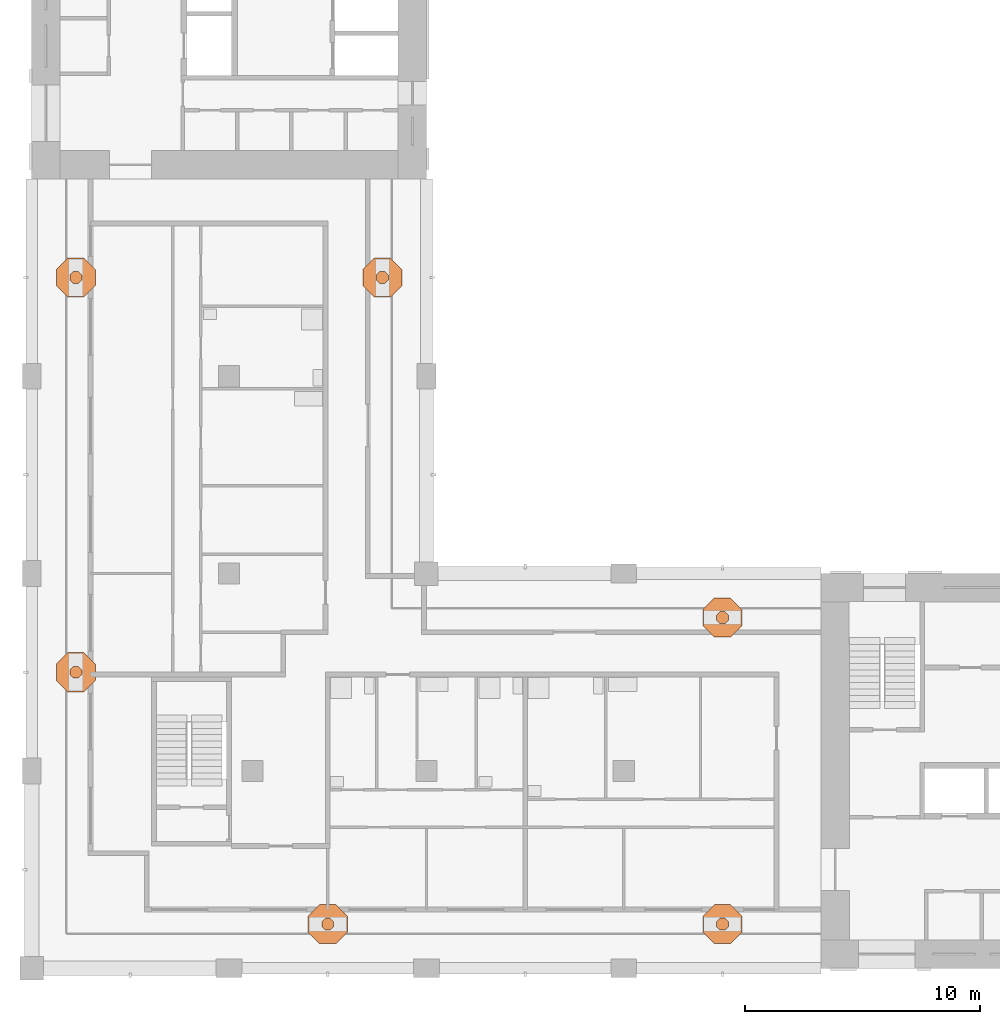
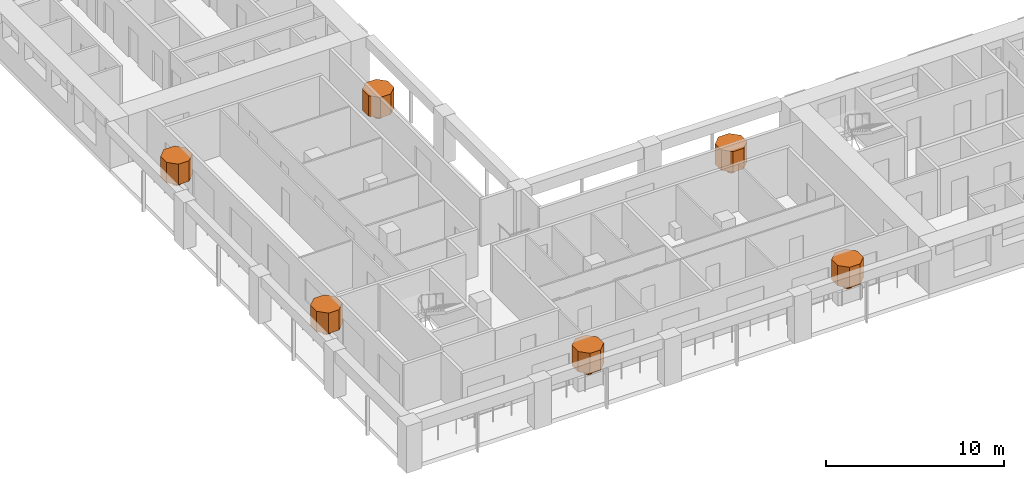
# One storey, part 12 of 12: 12 geographic elements.
"""IFC4 building model written with IfcOpenShell, lengths in metres."""

from ifc_helpers import new_model, si_unit, direction, frame, origin, place, context, subcontext, project, spatial, polyline, outline, extrude, material, element, save


model = new_model("IFC4")

# Units and contexts
model_context = context("Model", 3, precision=1e-05, world=origin(), true_north=direction((0.0, 1.0)))
body_context = subcontext(model_context, "Body", "Model", "MODEL_VIEW")
ifc_project = project(units=[si_unit("LENGTHUNIT", "METRE"), si_unit("AREAUNIT", "SQUARE_METRE"), si_unit("VOLUMEUNIT", "CUBIC_METRE"), si_unit("PLANEANGLEUNIT", "RADIAN"), si_unit("MASSUNIT", "GRAM", prefix="KILO")], contexts=[model_context])

# Site, building, storey
site_placement = place(None, origin())
site = spatial("IfcSite", under=ifc_project, at=site_placement, CompositionType="ELEMENT")
building_placement = place(site_placement, origin())
building = spatial("IfcBuilding", under=site, at=building_placement, Name="Vermilion Gate Residences", CompositionType="ELEMENT")
storey_placement = place(building_placement, frame((0.0, 0.0, 235.199951171875)))
storey = spatial("IfcBuildingStorey", under=building, at=storey_placement, Name="L61", CompositionType="ELEMENT", Elevation=235.199951171875)

# Geographic elements
ifc_material = material(Name="Foliage")
geographic_element_1_placement = place(storey_placement, frame((0.0, 0.0, 0.900146484375)))
element("IfcGeographicElement", 1, at=geographic_element_1_placement, inside=storey, material=ifc_material, Name="Tree (maple)", ObjectType="TREE", PredefinedType="USERDEFINED", context=body_context, shape_type="SweptSolid", body=[
    extrude(outline(polyline([(21.254150390625, 10.380126953125), (21.105224609375, 10.529052734375), (20.894775390625, 10.529052734375), (20.745849609375, 10.380126953125), (20.745849609375, 10.169921875), (20.894775390625, 10.02099609375), (21.105224609375, 10.02099609375), (21.254150390625, 10.169921875), (21.254150390625, 10.380126953125)])), origin(), (0.0, 0.0, 1.0), 0.52001953125),
])
geographic_element_2_placement = place(storey_placement, frame((0.0, 0.0, 1.420166015625)))
element("IfcGeographicElement", 2, at=geographic_element_2_placement, inside=storey, material=ifc_material, Name="Tree crown (maple)", ObjectType="TREE", PredefinedType="USERDEFINED", context=body_context, shape_type="SweptSolid", body=[
    extrude(outline(polyline([(21.83154296875, 10.619384765625), (21.344482421875, 11.1064453125), (20.655517578125, 11.1064453125), (20.16845703125, 10.619384765625), (20.16845703125, 9.9306640625), (20.655517578125, 9.443603515625), (21.344482421875, 9.443603515625), (21.83154296875, 9.9306640625), (21.83154296875, 10.619384765625)])), origin(), (0.0, 0.0, 1.0), 1.39990234375),
])
geographic_element_3_placement = place(storey_placement, frame((0.0, 0.0, 0.900146484375)))
element("IfcGeographicElement", 3, at=geographic_element_3_placement, inside=storey, material=ifc_material, Name="Tree (black pine)", ObjectType="TREE", PredefinedType="USERDEFINED", context=body_context, shape_type="SweptSolid", body=[
    extrude(outline(polyline([(38.05419921875, 10.380126953125), (37.9052734375, 10.529052734375), (37.69482421875, 10.529052734375), (37.5458984375, 10.380126953125), (37.5458984375, 10.169921875), (37.69482421875, 10.02099609375), (37.9052734375, 10.02099609375), (38.05419921875, 10.169921875), (38.05419921875, 10.380126953125)])), origin(), (0.0, 0.0, 1.0), 0.52001953125),
])
geographic_element_4_placement = place(storey_placement, frame((0.0, 0.0, 1.420166015625)))
element("IfcGeographicElement", 4, at=geographic_element_4_placement, inside=storey, material=ifc_material, Name="Tree crown (black pine)", ObjectType="TREE", PredefinedType="USERDEFINED", context=body_context, shape_type="SweptSolid", body=[
    extrude(outline(polyline([(38.631591796875, 10.619384765625), (38.144287109375, 11.1064453125), (37.45556640625, 11.1064453125), (36.968505859375, 10.619384765625), (36.968505859375, 9.9306640625), (37.45556640625, 9.443603515625), (38.144287109375, 9.443603515625), (38.631591796875, 9.9306640625), (38.631591796875, 10.619384765625)])), origin(), (0.0, 0.0, 1.0), 1.39990234375),
])
geographic_element_5_placement = place(storey_placement, frame((0.0, 0.0, 0.900146484375)))
element("IfcGeographicElement", 5, at=geographic_element_5_placement, inside=storey, material=ifc_material, Name="Tree (black pine)", ObjectType="TREE", PredefinedType="USERDEFINED", context=body_context, shape_type="SweptSolid", body=[
    extrude(outline(polyline([(38.05419921875, 23.43017578125), (37.9052734375, 23.5791015625), (37.69482421875, 23.5791015625), (37.5458984375, 23.43017578125), (37.5458984375, 23.2197265625), (37.69482421875, 23.07080078125), (37.9052734375, 23.07080078125), (38.05419921875, 23.2197265625), (38.05419921875, 23.43017578125)])), origin(), (0.0, 0.0, 1.0), 0.52001953125),
])
geographic_element_6_placement = place(storey_placement, frame((0.0, 0.0, 1.420166015625)))
element("IfcGeographicElement", 6, at=geographic_element_6_placement, inside=storey, material=ifc_material, Name="Tree crown (black pine)", ObjectType="TREE", PredefinedType="USERDEFINED", context=body_context, shape_type="SweptSolid", body=[
    extrude(outline(polyline([(38.631591796875, 23.66943359375), (38.144287109375, 24.156494140625), (37.45556640625, 24.156494140625), (36.968505859375, 23.66943359375), (36.968505859375, 22.980712890625), (37.45556640625, 22.493408203125), (38.144287109375, 22.493408203125), (38.631591796875, 22.980712890625), (38.631591796875, 23.66943359375)])), origin(), (0.0, 0.0, 1.0), 1.39990234375),
])
geographic_element_7_placement = place(storey_placement, frame((0.0, 0.0, 0.900146484375)))
element("IfcGeographicElement", 7, at=geographic_element_7_placement, inside=storey, material=ifc_material, Name="Tree (black pine)", ObjectType="TREE", PredefinedType="USERDEFINED", context=body_context, shape_type="SweptSolid", body=[
    extrude(outline(polyline([(23.5791015625, 37.9052734375), (23.43017578125, 38.05419921875), (23.2197265625, 38.05419921875), (23.07080078125, 37.9052734375), (23.07080078125, 37.69482421875), (23.2197265625, 37.5458984375), (23.43017578125, 37.5458984375), (23.5791015625, 37.69482421875), (23.5791015625, 37.9052734375)])), origin(), (0.0, 0.0, 1.0), 0.52001953125),
])
geographic_element_8_placement = place(storey_placement, frame((0.0, 0.0, 1.420166015625)))
element("IfcGeographicElement", 8, at=geographic_element_8_placement, inside=storey, material=ifc_material, Name="Tree crown (black pine)", ObjectType="TREE", PredefinedType="USERDEFINED", context=body_context, shape_type="SweptSolid", body=[
    extrude(outline(polyline([(24.156494140625, 38.144287109375), (23.66943359375, 38.631591796875), (22.980712890625, 38.631591796875), (22.493408203125, 38.144287109375), (22.493408203125, 37.45556640625), (22.980712890625, 36.968505859375), (23.66943359375, 36.968505859375), (24.156494140625, 37.45556640625), (24.156494140625, 38.144287109375)])), origin(), (0.0, 0.0, 1.0), 1.39990234375),
])
geographic_element_9_placement = place(storey_placement, frame((0.0, 0.0, 0.900146484375)))
element("IfcGeographicElement", 9, at=geographic_element_9_placement, inside=storey, material=ifc_material, Name="Tree (maple)", ObjectType="TREE", PredefinedType="USERDEFINED", context=body_context, shape_type="SweptSolid", body=[
    extrude(outline(polyline([(10.529052734375, 21.105224609375), (10.380126953125, 21.254150390625), (10.169921875, 21.254150390625), (10.02099609375, 21.105224609375), (10.02099609375, 20.894775390625), (10.169921875, 20.745849609375), (10.380126953125, 20.745849609375), (10.529052734375, 20.894775390625), (10.529052734375, 21.105224609375)])), origin(), (0.0, 0.0, 1.0), 0.52001953125),
])
geographic_element_10_placement = place(storey_placement, frame((0.0, 0.0, 1.420166015625)))
element("IfcGeographicElement", 10, at=geographic_element_10_placement, inside=storey, material=ifc_material, Name="Tree crown (maple)", ObjectType="TREE", PredefinedType="USERDEFINED", context=body_context, shape_type="SweptSolid", body=[
    extrude(outline(polyline([(11.1064453125, 21.344482421875), (10.619384765625, 21.83154296875), (9.9306640625, 21.83154296875), (9.443603515625, 21.344482421875), (9.443603515625, 20.655517578125), (9.9306640625, 20.16845703125), (10.619384765625, 20.16845703125), (11.1064453125, 20.655517578125), (11.1064453125, 21.344482421875)])), origin(), (0.0, 0.0, 1.0), 1.39990234375),
])
geographic_element_11_placement = place(storey_placement, frame((0.0, 0.0, 0.900146484375)))
element("IfcGeographicElement", 11, at=geographic_element_11_placement, inside=storey, material=ifc_material, Name="Tree (black pine)", ObjectType="TREE", PredefinedType="USERDEFINED", context=body_context, shape_type="SweptSolid", body=[
    extrude(outline(polyline([(10.529052734375, 37.9052734375), (10.380126953125, 38.05419921875), (10.169921875, 38.05419921875), (10.02099609375, 37.9052734375), (10.02099609375, 37.69482421875), (10.169921875, 37.5458984375), (10.380126953125, 37.5458984375), (10.529052734375, 37.69482421875), (10.529052734375, 37.9052734375)])), origin(), (0.0, 0.0, 1.0), 0.52001953125),
])
geographic_element_12_placement = place(storey_placement, frame((0.0, 0.0, 1.420166015625)))
element("IfcGeographicElement", 12, at=geographic_element_12_placement, inside=storey, material=ifc_material, Name="Tree crown (black pine)", ObjectType="TREE", PredefinedType="USERDEFINED", context=body_context, shape_type="SweptSolid", body=[
    extrude(outline(polyline([(11.1064453125, 38.144287109375), (10.619384765625, 38.631591796875), (9.9306640625, 38.631591796875), (9.443603515625, 38.144287109375), (9.443603515625, 37.45556640625), (9.9306640625, 36.968505859375), (10.619384765625, 36.968505859375), (11.1064453125, 37.45556640625), (11.1064453125, 38.144287109375)])), origin(), (0.0, 0.0, 1.0), 1.39990234375),
])

save(model, "model.ifc")
